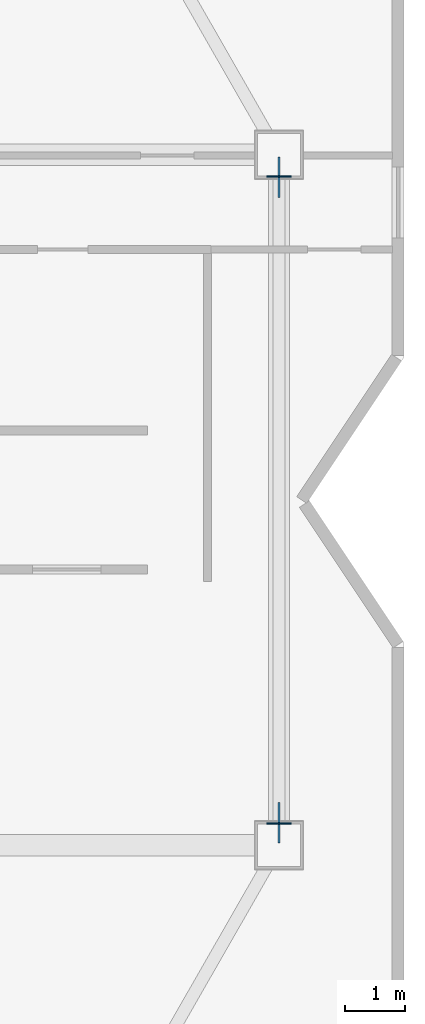
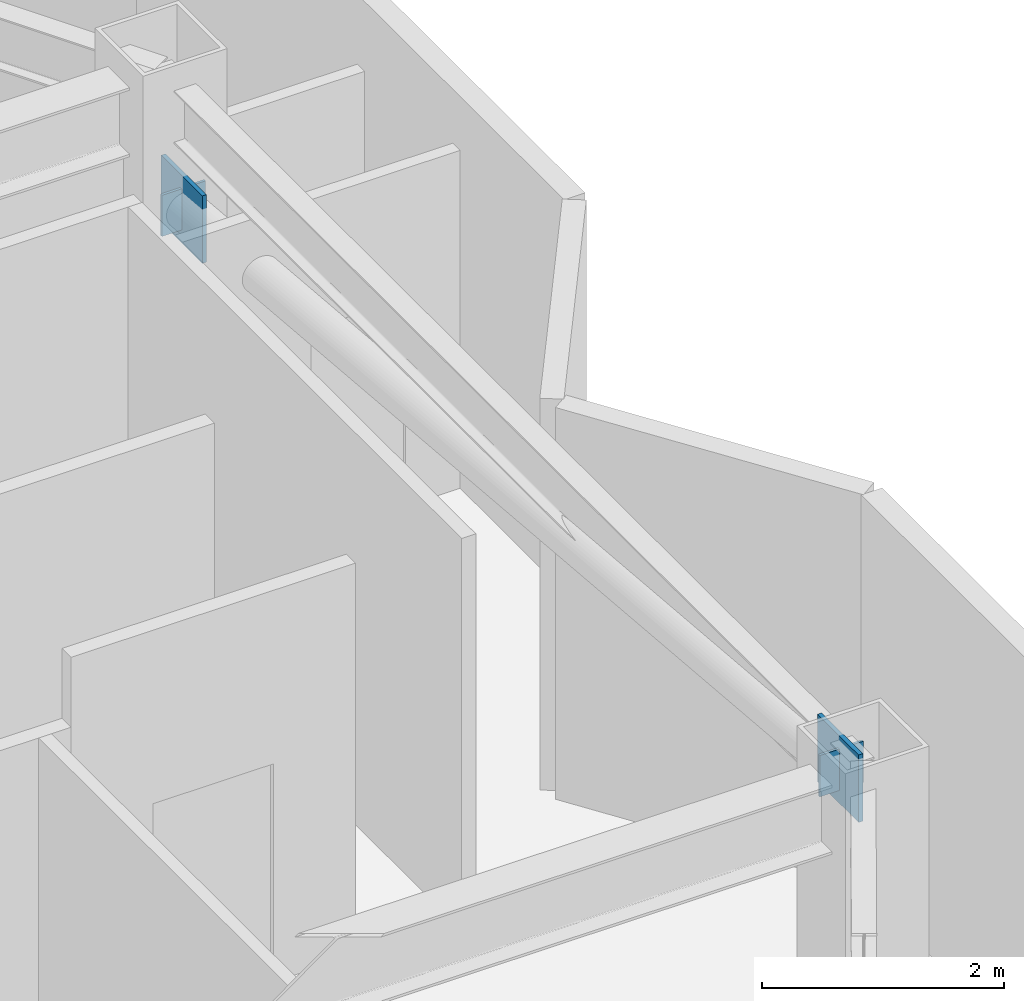
# One storey, part 4 of 12: 4 plates.
"""IFC4 building model written with IfcOpenShell, lengths in metres."""

from ifc_helpers import new_model, si_unit, direction, frame, origin, origin_2d, place, context, subcontext, project, spatial, rectangle, extrude, material, layer, layer_set, type_object, element, save


model = new_model("IFC4")

# Units and contexts
model_context = context("Model", 3, precision=1e-05, world=origin(), true_north=direction((0.0, 1.0)))
body_context = subcontext(model_context, "Body", "Model", "MODEL_VIEW")
ifc_project = project(units=[si_unit("LENGTHUNIT", "METRE"), si_unit("AREAUNIT", "SQUARE_METRE"), si_unit("VOLUMEUNIT", "CUBIC_METRE"), si_unit("PLANEANGLEUNIT", "RADIAN"), si_unit("MASSUNIT", "GRAM", prefix="KILO")], contexts=[model_context])

# Site, building, storey
site_placement = place(None, origin())
site = spatial("IfcSite", under=ifc_project, at=site_placement, CompositionType="ELEMENT")
building_placement = place(site_placement, origin())
building = spatial("IfcBuilding", under=site, at=building_placement, Name="Khamvora Tower", CompositionType="ELEMENT")
storey_placement = place(building_placement, frame((0.0, 0.0, 286.25)))
storey = spatial("IfcBuildingStorey", under=building, at=storey_placement, Name="L73", CompositionType="ELEMENT", Elevation=286.25)

# Plates
ifc_material_1 = material(Name="Steel S355", Category="steel")
ifc_layer_1 = layer(ifc_material_1, 0.02490234375)
ifc_layer_set_1 = layer_set([ifc_layer_1], Name="Steel S355")
plate_type_1 = type_object("IfcPlateType", Name="PL-CAP-25", PredefinedType="SHEET", material=ifc_layer_set_1)
for number, where, z_axis, x_axis, name in (
    (1, (62.89990234375, 33.43310546875, 2.50390625), (0.0, 0.0, 1.0), (0.0, -1.0, 0.0), "L73 hollow section steel end cap plate 1275"),
    (2, (62.89990234375, 22.56689453125, 3.44287109375), (0.0, 0.0, 1.0), (0.0, -1.0, 0.0), "L73 hollow section steel end cap plate 1276"),
):
    element("IfcPlate", number, at=place(storey_placement, frame(where, z_axis=z_axis, x_axis=x_axis)), inside=storey, type_object=plate_type_1, Name=name, PredefinedType="SHEET", context=body_context, shape_type="SweptSolid", body=[
        extrude(rectangle(XDim=0.02490234375, YDim=0.416015625, at=origin_2d()), origin(), (0.0, 0.0, 1.0), 0.416015625),
    ])
ifc_material_2 = material(Name="Steel S460", Category="steel")
ifc_layer_2 = layer(ifc_material_2, 0.0400390625)
ifc_layer_set_2 = layer_set([ifc_layer_2], Name="Steel S460")
plate_type_2 = type_object("IfcPlateType", Name="PLT-GUS-40", PredefinedType="SHEET", material=ifc_layer_set_2)
for number, where, z_axis, x_axis, name in (
    (3, (62.89990234375, 33.4208984375, 2.373046875), (0.0, 0.0, 1.0), (0.0, 1.0, 0.0), "L73 brace connection node gusset plate 0451"),
    (4, (62.89990234375, 22.5791015625, 3.31005859375), (0.0, 0.0, 1.0), (0.0, 1.0, 0.0), "L73 brace connection node gusset plate 0452"),
):
    element("IfcPlate", number, at=place(storey_placement, frame(where, z_axis=z_axis, x_axis=x_axis)), inside=storey, type_object=plate_type_2, Name=name, PredefinedType="SHEET", context=body_context, shape_type="SweptSolid", body=[
        extrude(rectangle(XDim=0.679931640625, YDim=0.0400390625, at=origin_2d()), origin(), (0.0, 0.0, 1.0), 0.679931640625),
    ])

save(model, "model.ifc")
